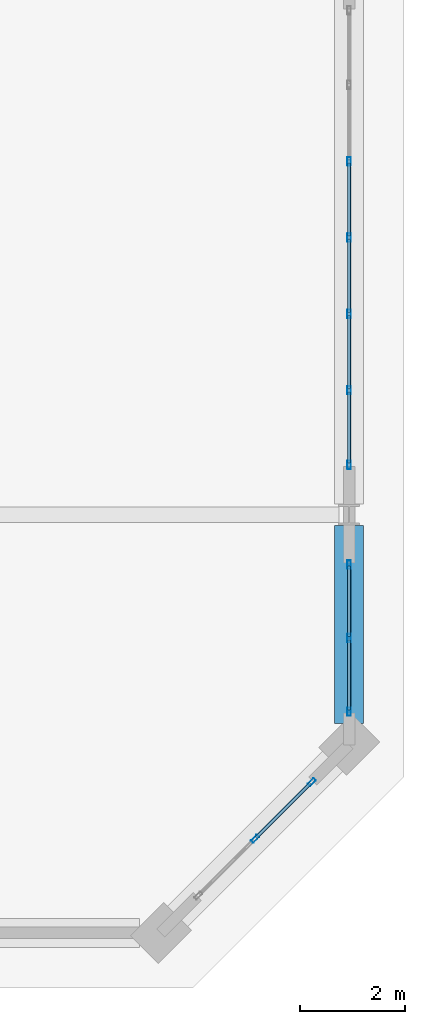
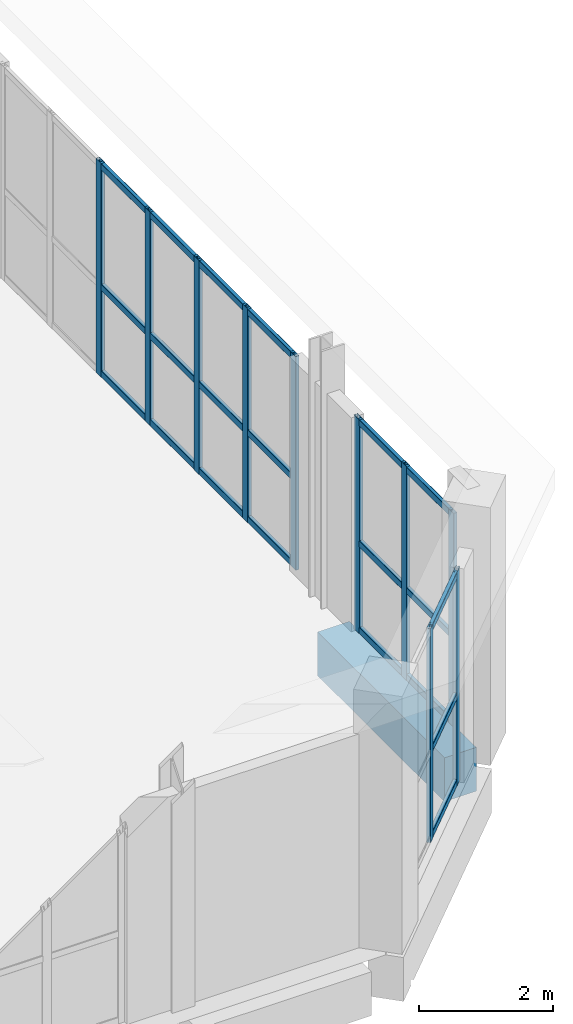
# One storey, part 22 of 36: 31 members, 1 beam, 3 elements without a shape of their own.
"""IFC4 building model written with IfcOpenShell, lengths in metres."""

from ifc_helpers import new_model, si_unit, direction, frame, origin, origin_2d, place, context, subcontext, project, spatial, rectangle, hollow_rectangle, extrude, material, layer, layer_set, material_profile, profile_set, type_object, element, aggregate, save


model = new_model("IFC4")

# Units and contexts
model_context = context("Model", 3, precision=1e-05, world=origin(), true_north=direction((0.0, 1.0)))
body_context = subcontext(model_context, "Body", "Model", "MODEL_VIEW")
ifc_project = project(units=[si_unit("LENGTHUNIT", "METRE"), si_unit("AREAUNIT", "SQUARE_METRE"), si_unit("VOLUMEUNIT", "CUBIC_METRE"), si_unit("PLANEANGLEUNIT", "RADIAN"), si_unit("MASSUNIT", "GRAM", prefix="KILO")], contexts=[model_context])

# Site, building, storey
site_placement = place(None, origin())
site = spatial("IfcSite", under=ifc_project, at=site_placement, CompositionType="ELEMENT")
building_placement = place(site_placement, origin())
building = spatial("IfcBuilding", under=site, at=building_placement, Name="Kaelvorn Grand Hotel", CompositionType="ELEMENT")
storey_placement = place(building_placement, frame((0.0, 0.0, 305.699951171875)))
storey = spatial("IfcBuildingStorey", under=building, at=storey_placement, Name="L74", CompositionType="ELEMENT", Elevation=305.699951171875)

# Beam
ifc_material_1 = material(Name="Concrete C50/60", Category="concrete")
ifc_material_profile_1 = material_profile(ifc_material_1, rectangle(XDim=0.550048828125, YDim=0.800048828125, at=origin_2d()), Name="RC SPANDREL 550x800")
ifc_profile_set_1 = profile_set([ifc_material_profile_1], Name="Concrete C50/60")
beam_type = type_object("IfcBeamType", Name="BM-SP-550x800-C50", PredefinedType="SPANDREL", material=ifc_profile_set_1)
beam_placement = place(storey_placement, frame((75.0, 11.0048828125, -0.780029296875), z_axis=(0.0, 1.0, 0.0), x_axis=(-1.0, 0.0, 0.0)))
element("IfcBeam", 1, at=beam_placement, inside=storey, type_object=beam_type, Name="L74 East Perimeter Spandrel 01", PredefinedType="SPANDREL", context=body_context, shape_type="SweptSolid", body=[
    extrude(rectangle(XDim=0.550048828125, YDim=0.800048828125, at=origin_2d()), origin(), (0.0, 0.0, 1.0), 3.7900390625),
])

# Curtain wall, members
ifc_material_2 = material(Name="Anodised Aluminium", Category="aluminium")
ifc_layer = layer(ifc_material_2, 0.159912109375)
ifc_layer_set = layer_set([ifc_layer], Name="Anodised Aluminium")
curtain_wall_type = type_object("IfcCurtainWallType", Name="CW-SYS6", PredefinedType="NOTDEFINED", material=ifc_layer_set)
curtain_wall_1_placement = place(storey_placement, origin())
curtain_wall_1 = element("IfcCurtainWall", 2, at=curtain_wall_1_placement, inside=storey, type_object=curtain_wall_type, Name="L74 Unitised Curtain Wall CW6 (CW-L74-SE)", PredefinedType="NOTDEFINED")
ifc_material_profile_2 = material_profile(ifc_material_2, hollow_rectangle(XDim=0.06494140625, YDim=0.159912109375, WallThickness=0.00341796875, InnerFilletRadius=0.00341796875, OuterFilletRadius=0.007080078125, at=origin_2d()), Name="ALU MULL 65x160")
ifc_profile_set_2 = profile_set([ifc_material_profile_2], Name="Anodised Aluminium")
member_type_1 = type_object("IfcMemberType", Name="CW-SYS6-MULL", PredefinedType="MULLION", material=ifc_profile_set_2)
member_1_placement = place(storey_placement, frame((73.199951171875, 8.800048828125, 0.0), z_axis=(0.0, 0.0, 1.0), x_axis=(-0.707106781187, 0.707106781187, 0.0)))
member_1 = element("IfcMember", 3, at=member_1_placement, type_object=member_type_1, Name="CW6 mullion 2", PredefinedType="MULLION", context=body_context, shape_type="SweptSolid", body=[
    extrude(hollow_rectangle(XDim=0.06494140625, YDim=0.159912109375, WallThickness=0.00341796875, InnerFilletRadius=0.00341796875, OuterFilletRadius=0.007080078125, at=origin_2d()), origin(), (0.0, 0.0, 1.0), 3.900146484375),
])
member_2_placement = place(storey_placement, frame((74.2841796875, 9.884033203125, 0.0), z_axis=(0.0, 0.0, 1.0), x_axis=(-0.707106781187, 0.707106781187, 0.0)))
member_2 = element("IfcMember", 4, at=member_2_placement, type_object=member_type_1, Name="CW6 mullion 3", PredefinedType="MULLION", context=body_context, shape_type="SweptSolid", body=[
    extrude(hollow_rectangle(XDim=0.06494140625, YDim=0.159912109375, WallThickness=0.00341796875, InnerFilletRadius=0.00341796875, OuterFilletRadius=0.007080078125, at=origin_2d()), origin(), (0.0, 0.0, 1.0), 3.900146484375),
])

curtain_wall_2_placement = place(storey_placement, origin())
curtain_wall_2 = element("IfcCurtainWall", 5, at=curtain_wall_2_placement, inside=storey, type_object=curtain_wall_type, Name="L74 Unitised Curtain Wall CW6 (CW-L74-E-01)", PredefinedType="NOTDEFINED")
member_3_placement = place(storey_placement, frame((75.0, 11.232421875, 0.0), z_axis=(0.0, 0.0, 1.0), x_axis=(-1.0, 0.0, 0.0)))
member_3 = element("IfcMember", 6, at=member_3_placement, type_object=member_type_1, Name="CW6 mullion 1", PredefinedType="MULLION", context=body_context, shape_type="SweptSolid", body=[
    extrude(hollow_rectangle(XDim=0.06494140625, YDim=0.159912109375, WallThickness=0.00341796875, InnerFilletRadius=0.00341796875, OuterFilletRadius=0.007080078125, at=origin_2d()), origin(), (0.0, 0.0, 1.0), 3.900146484375),
])
member_4_placement = place(storey_placement, frame((75.0, 12.639892578125, 0.0), z_axis=(0.0, 0.0, 1.0), x_axis=(-1.0, 0.0, 0.0)))
member_4 = element("IfcMember", 7, at=member_4_placement, type_object=member_type_1, Name="CW6 mullion 2", PredefinedType="MULLION", context=body_context, shape_type="SweptSolid", body=[
    extrude(hollow_rectangle(XDim=0.06494140625, YDim=0.159912109375, WallThickness=0.00341796875, InnerFilletRadius=0.00341796875, OuterFilletRadius=0.007080078125, at=origin_2d()), origin(), (0.0, 0.0, 1.0), 3.900146484375),
])
member_5_placement = place(storey_placement, frame((75.0, 14.047607421875, 0.0), z_axis=(0.0, 0.0, 1.0), x_axis=(-1.0, 0.0, 0.0)))
member_5 = element("IfcMember", 8, at=member_5_placement, type_object=member_type_1, Name="CW6 mullion 3", PredefinedType="MULLION", context=body_context, shape_type="SweptSolid", body=[
    extrude(hollow_rectangle(XDim=0.06494140625, YDim=0.159912109375, WallThickness=0.00341796875, InnerFilletRadius=0.00341796875, OuterFilletRadius=0.007080078125, at=origin_2d()), origin(), (0.0, 0.0, 1.0), 3.900146484375),
])

curtain_wall_3_placement = place(storey_placement, origin())
curtain_wall_3 = element("IfcCurtainWall", 9, at=curtain_wall_3_placement, inside=storey, type_object=curtain_wall_type, Name="L74 Unitised Curtain Wall CW6 (CW-L74-E-02)", PredefinedType="NOTDEFINED")
member_6_placement = place(storey_placement, frame((75.0, 15.952392578125, 0.0), z_axis=(0.0, 0.0, 1.0), x_axis=(-1.0, 0.0, 0.0)))
member_6 = element("IfcMember", 10, at=member_6_placement, type_object=member_type_1, Name="CW6 mullion 1", PredefinedType="MULLION", context=body_context, shape_type="SweptSolid", body=[
    extrude(hollow_rectangle(XDim=0.06494140625, YDim=0.159912109375, WallThickness=0.00341796875, InnerFilletRadius=0.00341796875, OuterFilletRadius=0.007080078125, at=origin_2d()), origin(), (0.0, 0.0, 1.0), 3.900146484375),
])
member_7_placement = place(storey_placement, frame((75.0, 17.3798828125, 0.0), z_axis=(0.0, 0.0, 1.0), x_axis=(-1.0, 0.0, 0.0)))
member_7 = element("IfcMember", 11, at=member_7_placement, type_object=member_type_1, Name="CW6 mullion 2", PredefinedType="MULLION", context=body_context, shape_type="SweptSolid", body=[
    extrude(hollow_rectangle(XDim=0.06494140625, YDim=0.159912109375, WallThickness=0.00341796875, InnerFilletRadius=0.00341796875, OuterFilletRadius=0.007080078125, at=origin_2d()), origin(), (0.0, 0.0, 1.0), 3.900146484375),
])
member_8_placement = place(storey_placement, frame((75.0, 18.840087890625, 0.0), z_axis=(0.0, 0.0, 1.0), x_axis=(-1.0, 0.0, 0.0)))
member_8 = element("IfcMember", 12, at=member_8_placement, type_object=member_type_1, Name="CW6 mullion 3", PredefinedType="MULLION", context=body_context, shape_type="SweptSolid", body=[
    extrude(hollow_rectangle(XDim=0.06494140625, YDim=0.159912109375, WallThickness=0.00341796875, InnerFilletRadius=0.00341796875, OuterFilletRadius=0.007080078125, at=origin_2d()), origin(), (0.0, 0.0, 1.0), 3.900146484375),
])
member_9_placement = place(storey_placement, frame((75.0, 20.300048828125, 0.0), z_axis=(0.0, 0.0, 1.0), x_axis=(-1.0, 0.0, 0.0)))
member_9 = element("IfcMember", 13, at=member_9_placement, type_object=member_type_1, Name="CW6 mullion 4", PredefinedType="MULLION", context=body_context, shape_type="SweptSolid", body=[
    extrude(hollow_rectangle(XDim=0.06494140625, YDim=0.159912109375, WallThickness=0.00341796875, InnerFilletRadius=0.00341796875, OuterFilletRadius=0.007080078125, at=origin_2d()), origin(), (0.0, 0.0, 1.0), 3.900146484375),
])
member_10_placement = place(storey_placement, frame((75.0, 21.760009765625, 0.0), z_axis=(0.0, 0.0, 1.0), x_axis=(-1.0, 0.0, 0.0)))
member_10 = element("IfcMember", 14, at=member_10_placement, type_object=member_type_1, Name="CW6 mullion 5", PredefinedType="MULLION", context=body_context, shape_type="SweptSolid", body=[
    extrude(hollow_rectangle(XDim=0.06494140625, YDim=0.159912109375, WallThickness=0.00341796875, InnerFilletRadius=0.00341796875, OuterFilletRadius=0.007080078125, at=origin_2d()), origin(), (0.0, 0.0, 1.0), 3.900146484375),
])

# Member
ifc_material_profile_3 = material_profile(ifc_material_2, hollow_rectangle(XDim=0.06494140625, YDim=0.1201171875, WallThickness=0.00341796875, InnerFilletRadius=0.00341796875, OuterFilletRadius=0.007080078125, at=origin_2d()), Name="ALU TRAN 65x120")
ifc_profile_set_3 = profile_set([ifc_material_profile_3], Name="Anodised Aluminium")
member_type_2 = type_object("IfcMemberType", Name="CW-SYS6-TRAN", PredefinedType="NOTDEFINED", material=ifc_profile_set_3)
member_11_placement = place(storey_placement, frame((73.222900390625, 8.822998046875, 0.06005859375), z_axis=(0.707106781187, 0.707106781187, 0.0), x_axis=(-0.707106781187, 0.707106781187, 0.0)))
member_11 = element("IfcMember", 15, at=member_11_placement, type_object=member_type_2, Name="CW6 transom 2.1", ObjectType="TRANSOM", PredefinedType="USERDEFINED", context=body_context, shape_type="SweptSolid", body=[
    extrude(hollow_rectangle(XDim=0.06494140625, YDim=0.1201171875, WallThickness=0.00341796875, InnerFilletRadius=0.00341796875, OuterFilletRadius=0.007080078125, at=origin_2d()), origin(), (0.0, 0.0, 1.0), 1.468017578125),
])

member_12_placement = place(storey_placement, frame((73.222900390625, 8.822998046875, 1.637939453125), z_axis=(0.707106781187, 0.707106781187, 0.0), x_axis=(-0.707106781187, 0.707106781187, 0.0)))
member_12 = element("IfcMember", 16, at=member_12_placement, type_object=member_type_2, Name="CW6 transom 2.2", ObjectType="TRANSOM", PredefinedType="USERDEFINED", context=body_context, shape_type="SweptSolid", body=[
    extrude(hollow_rectangle(XDim=0.06494140625, YDim=0.1201171875, WallThickness=0.00341796875, InnerFilletRadius=0.00341796875, OuterFilletRadius=0.007080078125, at=origin_2d()), origin(), (0.0, 0.0, 1.0), 1.468017578125),
])

member_13_placement = place(storey_placement, frame((73.222900390625, 8.822998046875, 3.840087890625), z_axis=(0.707106781187, 0.707106781187, 0.0), x_axis=(-0.707106781187, 0.707106781187, 0.0)))
member_13 = element("IfcMember", 17, at=member_13_placement, type_object=member_type_2, Name="CW6 transom 2.3", ObjectType="TRANSOM", PredefinedType="USERDEFINED", context=body_context, shape_type="SweptSolid", body=[
    extrude(hollow_rectangle(XDim=0.06494140625, YDim=0.1201171875, WallThickness=0.00341796875, InnerFilletRadius=0.00341796875, OuterFilletRadius=0.007080078125, at=origin_2d()), origin(), (0.0, 0.0, 1.0), 1.468017578125),
])

aggregate(curtain_wall_1, [member_1, member_2, member_11, member_12, member_13])

member_14_placement = place(storey_placement, frame((75.0, 11.264892578125, 0.06005859375), z_axis=(0.0, 1.0, 0.0), x_axis=(-1.0, 0.0, 0.0)))
member_14 = element("IfcMember", 18, at=member_14_placement, type_object=member_type_2, Name="CW6 transom 1.1", ObjectType="TRANSOM", PredefinedType="USERDEFINED", context=body_context, shape_type="SweptSolid", body=[
    extrude(hollow_rectangle(XDim=0.06494140625, YDim=0.1201171875, WallThickness=0.00341796875, InnerFilletRadius=0.00341796875, OuterFilletRadius=0.007080078125, at=origin_2d()), origin(), (0.0, 0.0, 1.0), 1.342529296875),
])

member_15_placement = place(storey_placement, frame((75.0, 11.264892578125, 1.637939453125), z_axis=(0.0, 1.0, 0.0), x_axis=(-1.0, 0.0, 0.0)))
member_15 = element("IfcMember", 19, at=member_15_placement, type_object=member_type_2, Name="CW6 transom 1.2", ObjectType="TRANSOM", PredefinedType="USERDEFINED", context=body_context, shape_type="SweptSolid", body=[
    extrude(hollow_rectangle(XDim=0.06494140625, YDim=0.1201171875, WallThickness=0.00341796875, InnerFilletRadius=0.00341796875, OuterFilletRadius=0.007080078125, at=origin_2d()), origin(), (0.0, 0.0, 1.0), 1.342529296875),
])

member_16_placement = place(storey_placement, frame((75.0, 11.264892578125, 3.840087890625), z_axis=(0.0, 1.0, 0.0), x_axis=(-1.0, 0.0, 0.0)))
member_16 = element("IfcMember", 20, at=member_16_placement, type_object=member_type_2, Name="CW6 transom 1.3", ObjectType="TRANSOM", PredefinedType="USERDEFINED", context=body_context, shape_type="SweptSolid", body=[
    extrude(hollow_rectangle(XDim=0.06494140625, YDim=0.1201171875, WallThickness=0.00341796875, InnerFilletRadius=0.00341796875, OuterFilletRadius=0.007080078125, at=origin_2d()), origin(), (0.0, 0.0, 1.0), 1.342529296875),
])

member_17_placement = place(storey_placement, frame((75.0, 12.672607421875, 0.06005859375), z_axis=(0.0, 1.0, 0.0), x_axis=(-1.0, 0.0, 0.0)))
member_17 = element("IfcMember", 21, at=member_17_placement, type_object=member_type_2, Name="CW6 transom 2.1", ObjectType="TRANSOM", PredefinedType="USERDEFINED", context=body_context, shape_type="SweptSolid", body=[
    extrude(hollow_rectangle(XDim=0.06494140625, YDim=0.1201171875, WallThickness=0.00341796875, InnerFilletRadius=0.00341796875, OuterFilletRadius=0.007080078125, at=origin_2d()), origin(), (0.0, 0.0, 1.0), 1.34228515625),
])

member_18_placement = place(storey_placement, frame((75.0, 12.672607421875, 1.637939453125), z_axis=(0.0, 1.0, 0.0), x_axis=(-1.0, 0.0, 0.0)))
member_18 = element("IfcMember", 22, at=member_18_placement, type_object=member_type_2, Name="CW6 transom 2.2", ObjectType="TRANSOM", PredefinedType="USERDEFINED", context=body_context, shape_type="SweptSolid", body=[
    extrude(hollow_rectangle(XDim=0.06494140625, YDim=0.1201171875, WallThickness=0.00341796875, InnerFilletRadius=0.00341796875, OuterFilletRadius=0.007080078125, at=origin_2d()), origin(), (0.0, 0.0, 1.0), 1.34228515625),
])

member_19_placement = place(storey_placement, frame((75.0, 12.672607421875, 3.840087890625), z_axis=(0.0, 1.0, 0.0), x_axis=(-1.0, 0.0, 0.0)))
member_19 = element("IfcMember", 23, at=member_19_placement, type_object=member_type_2, Name="CW6 transom 2.3", ObjectType="TRANSOM", PredefinedType="USERDEFINED", context=body_context, shape_type="SweptSolid", body=[
    extrude(hollow_rectangle(XDim=0.06494140625, YDim=0.1201171875, WallThickness=0.00341796875, InnerFilletRadius=0.00341796875, OuterFilletRadius=0.007080078125, at=origin_2d()), origin(), (0.0, 0.0, 1.0), 1.34228515625),
])

aggregate(curtain_wall_2, [member_3, member_4, member_5, member_14, member_15, member_16, member_17, member_18, member_19])

member_20_placement = place(storey_placement, frame((75.0, 15.985107421875, 0.06005859375), z_axis=(0.0, 1.0, 0.0), x_axis=(-1.0, 0.0, 0.0)))
member_20 = element("IfcMember", 24, at=member_20_placement, type_object=member_type_2, Name="CW6 transom 1.1", ObjectType="TRANSOM", PredefinedType="USERDEFINED", context=body_context, shape_type="SweptSolid", body=[
    extrude(hollow_rectangle(XDim=0.06494140625, YDim=0.1201171875, WallThickness=0.00341796875, InnerFilletRadius=0.00341796875, OuterFilletRadius=0.007080078125, at=origin_2d()), origin(), (0.0, 0.0, 1.0), 1.3623046875),
])

member_21_placement = place(storey_placement, frame((75.0, 15.985107421875, 1.637939453125), z_axis=(0.0, 1.0, 0.0), x_axis=(-1.0, 0.0, 0.0)))
member_21 = element("IfcMember", 25, at=member_21_placement, type_object=member_type_2, Name="CW6 transom 1.2", ObjectType="TRANSOM", PredefinedType="USERDEFINED", context=body_context, shape_type="SweptSolid", body=[
    extrude(hollow_rectangle(XDim=0.06494140625, YDim=0.1201171875, WallThickness=0.00341796875, InnerFilletRadius=0.00341796875, OuterFilletRadius=0.007080078125, at=origin_2d()), origin(), (0.0, 0.0, 1.0), 1.3623046875),
])

member_22_placement = place(storey_placement, frame((75.0, 15.985107421875, 3.840087890625), z_axis=(0.0, 1.0, 0.0), x_axis=(-1.0, 0.0, 0.0)))
member_22 = element("IfcMember", 26, at=member_22_placement, type_object=member_type_2, Name="CW6 transom 1.3", ObjectType="TRANSOM", PredefinedType="USERDEFINED", context=body_context, shape_type="SweptSolid", body=[
    extrude(hollow_rectangle(XDim=0.06494140625, YDim=0.1201171875, WallThickness=0.00341796875, InnerFilletRadius=0.00341796875, OuterFilletRadius=0.007080078125, at=origin_2d()), origin(), (0.0, 0.0, 1.0), 1.3623046875),
])

member_23_placement = place(storey_placement, frame((75.0, 17.41259765625, 0.06005859375), z_axis=(0.0, 1.0, 0.0), x_axis=(-1.0, 0.0, 0.0)))
member_23 = element("IfcMember", 27, at=member_23_placement, type_object=member_type_2, Name="CW6 transom 2.1", ObjectType="TRANSOM", PredefinedType="USERDEFINED", context=body_context, shape_type="SweptSolid", body=[
    extrude(hollow_rectangle(XDim=0.06494140625, YDim=0.1201171875, WallThickness=0.00341796875, InnerFilletRadius=0.00341796875, OuterFilletRadius=0.007080078125, at=origin_2d()), origin(), (0.0, 0.0, 1.0), 1.39501953125),
])

member_24_placement = place(storey_placement, frame((75.0, 17.41259765625, 1.637939453125), z_axis=(0.0, 1.0, 0.0), x_axis=(-1.0, 0.0, 0.0)))
member_24 = element("IfcMember", 28, at=member_24_placement, type_object=member_type_2, Name="CW6 transom 2.2", ObjectType="TRANSOM", PredefinedType="USERDEFINED", context=body_context, shape_type="SweptSolid", body=[
    extrude(hollow_rectangle(XDim=0.06494140625, YDim=0.1201171875, WallThickness=0.00341796875, InnerFilletRadius=0.00341796875, OuterFilletRadius=0.007080078125, at=origin_2d()), origin(), (0.0, 0.0, 1.0), 1.39501953125),
])

member_25_placement = place(storey_placement, frame((75.0, 17.41259765625, 3.840087890625), z_axis=(0.0, 1.0, 0.0), x_axis=(-1.0, 0.0, 0.0)))
member_25 = element("IfcMember", 29, at=member_25_placement, type_object=member_type_2, Name="CW6 transom 2.3", ObjectType="TRANSOM", PredefinedType="USERDEFINED", context=body_context, shape_type="SweptSolid", body=[
    extrude(hollow_rectangle(XDim=0.06494140625, YDim=0.1201171875, WallThickness=0.00341796875, InnerFilletRadius=0.00341796875, OuterFilletRadius=0.007080078125, at=origin_2d()), origin(), (0.0, 0.0, 1.0), 1.39501953125),
])

member_26_placement = place(storey_placement, frame((75.0, 18.87255859375, 0.06005859375), z_axis=(0.0, 1.0, 0.0), x_axis=(-1.0, 0.0, 0.0)))
member_26 = element("IfcMember", 30, at=member_26_placement, type_object=member_type_2, Name="CW6 transom 3.1", ObjectType="TRANSOM", PredefinedType="USERDEFINED", context=body_context, shape_type="SweptSolid", body=[
    extrude(hollow_rectangle(XDim=0.06494140625, YDim=0.1201171875, WallThickness=0.00341796875, InnerFilletRadius=0.00341796875, OuterFilletRadius=0.007080078125, at=origin_2d()), origin(), (0.0, 0.0, 1.0), 1.39501953125),
])

member_27_placement = place(storey_placement, frame((75.0, 18.87255859375, 1.637939453125), z_axis=(0.0, 1.0, 0.0), x_axis=(-1.0, 0.0, 0.0)))
member_27 = element("IfcMember", 31, at=member_27_placement, type_object=member_type_2, Name="CW6 transom 3.2", ObjectType="TRANSOM", PredefinedType="USERDEFINED", context=body_context, shape_type="SweptSolid", body=[
    extrude(hollow_rectangle(XDim=0.06494140625, YDim=0.1201171875, WallThickness=0.00341796875, InnerFilletRadius=0.00341796875, OuterFilletRadius=0.007080078125, at=origin_2d()), origin(), (0.0, 0.0, 1.0), 1.39501953125),
])

member_28_placement = place(storey_placement, frame((75.0, 18.87255859375, 3.840087890625), z_axis=(0.0, 1.0, 0.0), x_axis=(-1.0, 0.0, 0.0)))
member_28 = element("IfcMember", 32, at=member_28_placement, type_object=member_type_2, Name="CW6 transom 3.3", ObjectType="TRANSOM", PredefinedType="USERDEFINED", context=body_context, shape_type="SweptSolid", body=[
    extrude(hollow_rectangle(XDim=0.06494140625, YDim=0.1201171875, WallThickness=0.00341796875, InnerFilletRadius=0.00341796875, OuterFilletRadius=0.007080078125, at=origin_2d()), origin(), (0.0, 0.0, 1.0), 1.39501953125),
])

member_29_placement = place(storey_placement, frame((75.0, 20.33251953125, 0.06005859375), z_axis=(0.0, 1.0, 0.0), x_axis=(-1.0, 0.0, 0.0)))
member_29 = element("IfcMember", 33, at=member_29_placement, type_object=member_type_2, Name="CW6 transom 4.1", ObjectType="TRANSOM", PredefinedType="USERDEFINED", context=body_context, shape_type="SweptSolid", body=[
    extrude(hollow_rectangle(XDim=0.06494140625, YDim=0.1201171875, WallThickness=0.00341796875, InnerFilletRadius=0.00341796875, OuterFilletRadius=0.007080078125, at=origin_2d()), origin(), (0.0, 0.0, 1.0), 1.39501953125),
])

member_30_placement = place(storey_placement, frame((75.0, 20.33251953125, 1.637939453125), z_axis=(0.0, 1.0, 0.0), x_axis=(-1.0, 0.0, 0.0)))
member_30 = element("IfcMember", 34, at=member_30_placement, type_object=member_type_2, Name="CW6 transom 4.2", ObjectType="TRANSOM", PredefinedType="USERDEFINED", context=body_context, shape_type="SweptSolid", body=[
    extrude(hollow_rectangle(XDim=0.06494140625, YDim=0.1201171875, WallThickness=0.00341796875, InnerFilletRadius=0.00341796875, OuterFilletRadius=0.007080078125, at=origin_2d()), origin(), (0.0, 0.0, 1.0), 1.39501953125),
])

member_31_placement = place(storey_placement, frame((75.0, 20.33251953125, 3.840087890625), z_axis=(0.0, 1.0, 0.0), x_axis=(-1.0, 0.0, 0.0)))
member_31 = element("IfcMember", 35, at=member_31_placement, type_object=member_type_2, Name="CW6 transom 4.3", ObjectType="TRANSOM", PredefinedType="USERDEFINED", context=body_context, shape_type="SweptSolid", body=[
    extrude(hollow_rectangle(XDim=0.06494140625, YDim=0.1201171875, WallThickness=0.00341796875, InnerFilletRadius=0.00341796875, OuterFilletRadius=0.007080078125, at=origin_2d()), origin(), (0.0, 0.0, 1.0), 1.39501953125),
])

aggregate(curtain_wall_3, [member_6, member_7, member_8, member_9, member_10, member_20, member_21, member_22, member_23, member_24, member_25, member_26, member_27, member_28, member_29, member_30, member_31])

save(model, "model.ifc")
